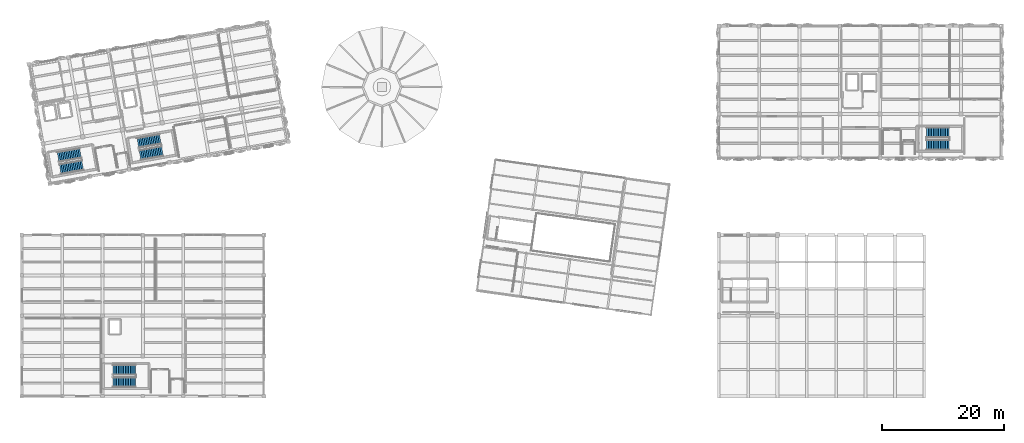
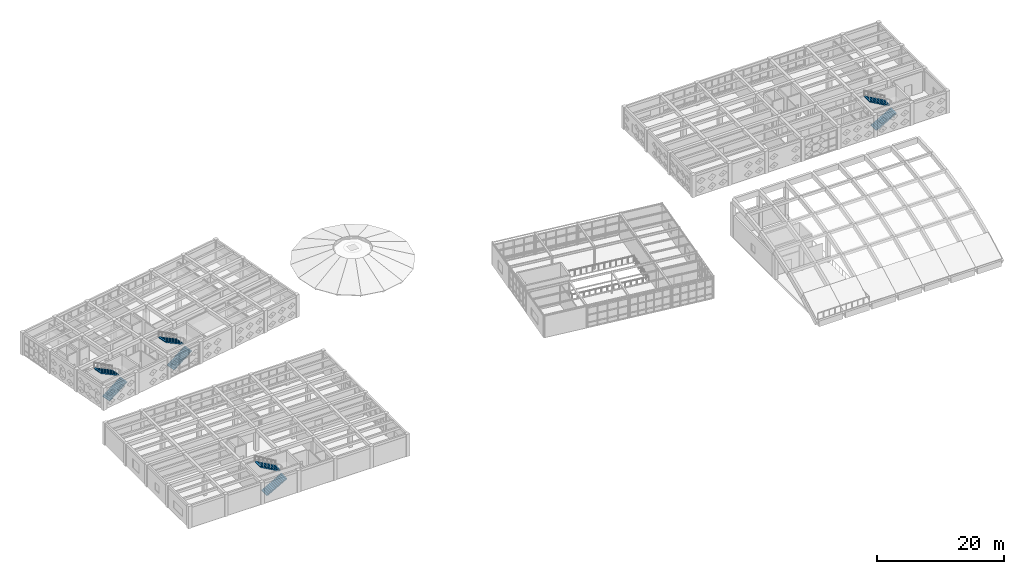
# One storey, part 61 of 67: 8 stair flights, 4 elements without a shape of their own.
"""IFC4 building model written with IfcOpenShell, lengths in metres."""

from ifc_helpers import new_model, si_unit, direction, frame, origin, place, context, subcontext, project, spatial, polyline, outline, extrude, material, type_object, element, aggregate, save


model = new_model("IFC4")

# Units and contexts
model_context = context("Model", 3, precision=1e-05, world=origin(), true_north=direction((0.0, 1.0)))
body_context = subcontext(model_context, "Body", "Model", "MODEL_VIEW")
ifc_project = project(units=[si_unit("LENGTHUNIT", "METRE"), si_unit("AREAUNIT", "SQUARE_METRE"), si_unit("VOLUMEUNIT", "CUBIC_METRE"), si_unit("PLANEANGLEUNIT", "RADIAN"), si_unit("MASSUNIT", "GRAM", prefix="KILO")], contexts=[model_context])

# Site, building, storey
site_placement = place(None, origin())
site = spatial("IfcSite", under=ifc_project, at=site_placement, CompositionType="ELEMENT")
building_placement = place(site_placement, origin())
building = spatial("IfcBuilding", under=site, at=building_placement, Name="Kharisveld Research Institute", CompositionType="ELEMENT")
storey_placement = place(building_placement, frame((0.0, 0.0, 9.60009765625)))
storey = spatial("IfcBuildingStorey", under=building, at=storey_placement, Name="L02", CompositionType="ELEMENT", Elevation=9.60009765625)

# Stair, stair flights
ifc_material_1 = material(Name="Concrete C40/50", Category="concrete")
stair_type = type_object("IfcStairType", Name="ST_EXIT_170", PredefinedType="TWO_STRAIGHT_RUN_STAIR", material=ifc_material_1)
stair_1_placement = place(storey_placement, origin())
stair_1 = element("IfcStair", 1, at=stair_1_placement, inside=storey, type_object=stair_type, Name="STR:ST1:L02", PredefinedType="TWO_STRAIGHT_RUN_STAIR")
ifc_material_2 = material(Name="Concrete C40/50", Category="concrete")
stair_flight_type = type_object("IfcStairFlightType", Name="SF_RUN_170", PredefinedType="STRAIGHT", material=ifc_material_2)
stair_flight_1_placement = place(storey_placement, frame((6.891357421875, 37.339111328125, 0.0), z_axis=(0.0, 0.0, 1.0), x_axis=(0.984807753012, 0.173648177667, 0.0)))
stair_flight_1 = element("IfcStairFlight", 2, at=stair_flight_1_placement, type_object=stair_flight_type, Name="ST-01 flight 1", NumberOfRisers=14, NumberOfTreads=13, PredefinedType="STRAIGHT", RiserHeight=0.160714, TreadLength=0.285, context=body_context, shape_type="SweptSolid", body=[
    extrude(outline(polyline([(0.0, 0.0), (0.0, 0.16064453125), (0.284912109375, 0.16064453125), (0.284912109375, 0.321533203125), (0.570068359375, 0.321533203125), (0.570068359375, 0.482177734375), (0.85498046875, 0.482177734375), (0.85498046875, 0.642822265625), (1.139892578125, 0.642822265625), (1.139892578125, 0.803466796875), (1.425048828125, 0.803466796875), (1.425048828125, 0.96435546875), (1.7099609375, 0.96435546875), (1.7099609375, 1.125), (1.9951171875, 1.125), (1.9951171875, 1.28564453125), (2.280029296875, 1.28564453125), (2.280029296875, 1.446533203125), (2.56494140625, 1.446533203125), (2.56494140625, 1.607177734375), (2.85009765625, 1.607177734375), (2.85009765625, 1.767822265625), (3.135009765625, 1.767822265625), (3.135009765625, 1.928466796875), (3.419921875, 1.928466796875), (3.419921875, 2.08935546875), (3.705078125, 2.08935546875), (3.705078125, 2.25), (3.705078125, 1.917236328125), (0.30517578125, 0.0), (0.0, 0.0)])), frame((0.0, 0.85009765625, 0.0), z_axis=(0.0, -1.0, 0.0), x_axis=(1.0, 0.0, 0.0)), (0.0, 0.0, 1.0), 1.699951171875),
])
stair_flight_2_placement = place(storey_placement, frame((10.182373046875, 40.01123046875, 2.25), z_axis=(0.0, 0.0, 1.0), x_axis=(-0.984807753012, -0.173648177667, 0.0)))
stair_flight_2 = element("IfcStairFlight", 3, at=stair_flight_2_placement, type_object=stair_flight_type, Name="ST-01 flight 2", NumberOfRisers=14, NumberOfTreads=13, PredefinedType="STRAIGHT", RiserHeight=0.160714, TreadLength=0.285, context=body_context, shape_type="SweptSolid", body=[
    extrude(outline(polyline([(0.0, 0.0), (0.0, 0.16064453125), (0.284912109375, 0.16064453125), (0.284912109375, 0.321533203125), (0.570068359375, 0.321533203125), (0.570068359375, 0.482177734375), (0.85498046875, 0.482177734375), (0.85498046875, 0.642822265625), (1.139892578125, 0.642822265625), (1.139892578125, 0.803466796875), (1.425048828125, 0.803466796875), (1.425048828125, 0.96435546875), (1.7099609375, 0.96435546875), (1.7099609375, 1.125), (1.9951171875, 1.125), (1.9951171875, 1.28564453125), (2.280029296875, 1.28564453125), (2.280029296875, 1.446533203125), (2.56494140625, 1.446533203125), (2.56494140625, 1.607177734375), (2.85009765625, 1.607177734375), (2.85009765625, 1.767822265625), (3.135009765625, 1.767822265625), (3.135009765625, 1.928466796875), (3.419921875, 1.928466796875), (3.419921875, 2.08935546875), (3.705078125, 2.08935546875), (3.705078125, 2.25), (3.705078125, 1.917236328125), (0.30517578125, 0.0), (0.0, 0.0)])), frame((0.0, 0.85009765625, 0.0), z_axis=(0.0, -1.0, 0.0), x_axis=(1.0, 0.0, 0.0)), (0.0, 0.0, 1.0), 1.699951171875),
])
aggregate(stair_1, [stair_flight_1, stair_flight_2])

stair_2_placement = place(storey_placement, origin())
stair_2 = element("IfcStair", 4, at=stair_2_placement, inside=storey, type_object=stair_type, Name="STR:ST2:L02", PredefinedType="TWO_STRAIGHT_RUN_STAIR")
stair_flight_3_placement = place(storey_placement, frame((19.93994140625, 39.639892578125, 0.0), z_axis=(0.0, 0.0, 1.0), x_axis=(0.984807753012, 0.173648177667, 0.0)))
stair_flight_3 = element("IfcStairFlight", 5, at=stair_flight_3_placement, type_object=stair_flight_type, Name="ST-02 flight 1", NumberOfRisers=14, NumberOfTreads=13, PredefinedType="STRAIGHT", RiserHeight=0.160714, TreadLength=0.285, context=body_context, shape_type="SweptSolid", body=[
    extrude(outline(polyline([(0.0, 0.0), (0.0, 0.16064453125), (0.284912109375, 0.16064453125), (0.284912109375, 0.321533203125), (0.570068359375, 0.321533203125), (0.570068359375, 0.482177734375), (0.85498046875, 0.482177734375), (0.85498046875, 0.642822265625), (1.139892578125, 0.642822265625), (1.139892578125, 0.803466796875), (1.425048828125, 0.803466796875), (1.425048828125, 0.96435546875), (1.7099609375, 0.96435546875), (1.7099609375, 1.125), (1.9951171875, 1.125), (1.9951171875, 1.28564453125), (2.280029296875, 1.28564453125), (2.280029296875, 1.446533203125), (2.56494140625, 1.446533203125), (2.56494140625, 1.607177734375), (2.85009765625, 1.607177734375), (2.85009765625, 1.767822265625), (3.135009765625, 1.767822265625), (3.135009765625, 1.928466796875), (3.419921875, 1.928466796875), (3.419921875, 2.08935546875), (3.705078125, 2.08935546875), (3.705078125, 2.25), (3.705078125, 1.917236328125), (0.30517578125, 0.0), (0.0, 0.0)])), frame((0.0, 0.85009765625, 0.0), z_axis=(0.0, -1.0, 0.0), x_axis=(1.0, 0.0, 0.0)), (0.0, 0.0, 1.0), 1.699951171875),
])
stair_flight_4_placement = place(storey_placement, frame((23.23095703125, 42.31201171875, 2.25), z_axis=(0.0, 0.0, 1.0), x_axis=(-0.984807753012, -0.173648177667, 0.0)))
stair_flight_4 = element("IfcStairFlight", 6, at=stair_flight_4_placement, type_object=stair_flight_type, Name="ST-02 flight 2", NumberOfRisers=14, NumberOfTreads=13, PredefinedType="STRAIGHT", RiserHeight=0.160714, TreadLength=0.285, context=body_context, shape_type="SweptSolid", body=[
    extrude(outline(polyline([(0.0, 0.0), (0.0, 0.16064453125), (0.284912109375, 0.16064453125), (0.284912109375, 0.321533203125), (0.570068359375, 0.321533203125), (0.570068359375, 0.482177734375), (0.85498046875, 0.482177734375), (0.85498046875, 0.642822265625), (1.139892578125, 0.642822265625), (1.139892578125, 0.803466796875), (1.425048828125, 0.803466796875), (1.425048828125, 0.96435546875), (1.7099609375, 0.96435546875), (1.7099609375, 1.125), (1.9951171875, 1.125), (1.9951171875, 1.28564453125), (2.280029296875, 1.28564453125), (2.280029296875, 1.446533203125), (2.56494140625, 1.446533203125), (2.56494140625, 1.607177734375), (2.85009765625, 1.607177734375), (2.85009765625, 1.767822265625), (3.135009765625, 1.767822265625), (3.135009765625, 1.928466796875), (3.419921875, 1.928466796875), (3.419921875, 2.08935546875), (3.705078125, 2.08935546875), (3.705078125, 2.25), (3.705078125, 1.917236328125), (0.30517578125, 0.0), (0.0, 0.0)])), frame((0.0, 0.85009765625, 0.0), z_axis=(0.0, -1.0, 0.0), x_axis=(1.0, 0.0, 0.0)), (0.0, 0.0, 1.0), 1.699951171875),
])
aggregate(stair_2, [stair_flight_3, stair_flight_4])

stair_3_placement = place(storey_placement, origin())
stair_3 = element("IfcStair", 7, at=stair_3_placement, inside=storey, type_object=stair_type, Name="STR:ST3:L02", PredefinedType="TWO_STRAIGHT_RUN_STAIR")
stair_flight_5_placement = place(storey_placement, frame((148.570068359375, 41.300048828125, 0.0), z_axis=(0.0, 0.0, 1.0), x_axis=(1.0, 0.0, 0.0)))
stair_flight_5 = element("IfcStairFlight", 8, at=stair_flight_5_placement, type_object=stair_flight_type, Name="ST-03 flight 1", NumberOfRisers=14, NumberOfTreads=13, PredefinedType="STRAIGHT", RiserHeight=0.160714, TreadLength=0.285, context=body_context, shape_type="SweptSolid", body=[
    extrude(outline(polyline([(0.0, 0.0), (0.0, 0.16064453125), (0.284912109375, 0.16064453125), (0.284912109375, 0.321533203125), (0.570068359375, 0.321533203125), (0.570068359375, 0.482177734375), (0.85498046875, 0.482177734375), (0.85498046875, 0.642822265625), (1.139892578125, 0.642822265625), (1.139892578125, 0.803466796875), (1.425048828125, 0.803466796875), (1.425048828125, 0.96435546875), (1.7099609375, 0.96435546875), (1.7099609375, 1.125), (1.9951171875, 1.125), (1.9951171875, 1.28564453125), (2.280029296875, 1.28564453125), (2.280029296875, 1.446533203125), (2.56494140625, 1.446533203125), (2.56494140625, 1.607177734375), (2.85009765625, 1.607177734375), (2.85009765625, 1.767822265625), (3.135009765625, 1.767822265625), (3.135009765625, 1.928466796875), (3.419921875, 1.928466796875), (3.419921875, 2.08935546875), (3.705078125, 2.08935546875), (3.705078125, 2.25), (3.705078125, 1.917236328125), (0.30517578125, 0.0), (0.0, 0.0)])), frame((0.0, 0.85009765625, 0.0), z_axis=(0.0, -1.0, 0.0), x_axis=(1.0, 0.0, 0.0)), (0.0, 0.0, 1.0), 1.699951171875),
])
stair_flight_6_placement = place(storey_placement, frame((152.27490234375, 43.360107421875, 2.25), z_axis=(0.0, 0.0, 1.0), x_axis=(-1.0, 0.0, 0.0)))
stair_flight_6 = element("IfcStairFlight", 9, at=stair_flight_6_placement, type_object=stair_flight_type, Name="ST-03 flight 2", NumberOfRisers=14, NumberOfTreads=13, PredefinedType="STRAIGHT", RiserHeight=0.160714, TreadLength=0.285, context=body_context, shape_type="SweptSolid", body=[
    extrude(outline(polyline([(0.0, 0.0), (0.0, 0.16064453125), (0.284912109375, 0.16064453125), (0.284912109375, 0.321533203125), (0.570068359375, 0.321533203125), (0.570068359375, 0.482177734375), (0.85498046875, 0.482177734375), (0.85498046875, 0.642822265625), (1.139892578125, 0.642822265625), (1.139892578125, 0.803466796875), (1.425048828125, 0.803466796875), (1.425048828125, 0.96435546875), (1.7099609375, 0.96435546875), (1.7099609375, 1.125), (1.9951171875, 1.125), (1.9951171875, 1.28564453125), (2.280029296875, 1.28564453125), (2.280029296875, 1.446533203125), (2.56494140625, 1.446533203125), (2.56494140625, 1.607177734375), (2.85009765625, 1.607177734375), (2.85009765625, 1.767822265625), (3.135009765625, 1.767822265625), (3.135009765625, 1.928466796875), (3.419921875, 1.928466796875), (3.419921875, 2.08935546875), (3.705078125, 2.08935546875), (3.705078125, 2.25), (3.705078125, 1.917236328125), (0.30517578125, 0.0), (0.0, 0.0)])), frame((0.0, 0.85009765625, 0.0), z_axis=(0.0, -1.0, 0.0), x_axis=(1.0, 0.0, 0.0)), (0.0, 0.0, 1.0), 1.699951171875),
])
aggregate(stair_3, [stair_flight_5, stair_flight_6])

stair_4_placement = place(storey_placement, origin())
stair_4 = element("IfcStair", 10, at=stair_4_placement, inside=storey, type_object=stair_type, Name="STR:ST4:L02", PredefinedType="TWO_STRAIGHT_RUN_STAIR")
stair_flight_7_placement = place(storey_placement, frame((15.52001953125, 2.5, 0.0), z_axis=(0.0, 0.0, 1.0), x_axis=(1.0, 0.0, 0.0)))
stair_flight_7 = element("IfcStairFlight", 11, at=stair_flight_7_placement, type_object=stair_flight_type, Name="ST-04 flight 1", NumberOfRisers=14, NumberOfTreads=13, PredefinedType="STRAIGHT", RiserHeight=0.160714, TreadLength=0.285, context=body_context, shape_type="SweptSolid", body=[
    extrude(outline(polyline([(0.0, 0.0), (0.0, 0.16064453125), (0.284912109375, 0.16064453125), (0.284912109375, 0.321533203125), (0.570068359375, 0.321533203125), (0.570068359375, 0.482177734375), (0.85498046875, 0.482177734375), (0.85498046875, 0.642822265625), (1.139892578125, 0.642822265625), (1.139892578125, 0.803466796875), (1.425048828125, 0.803466796875), (1.425048828125, 0.96435546875), (1.7099609375, 0.96435546875), (1.7099609375, 1.125), (1.9951171875, 1.125), (1.9951171875, 1.28564453125), (2.280029296875, 1.28564453125), (2.280029296875, 1.446533203125), (2.56494140625, 1.446533203125), (2.56494140625, 1.607177734375), (2.85009765625, 1.607177734375), (2.85009765625, 1.767822265625), (3.135009765625, 1.767822265625), (3.135009765625, 1.928466796875), (3.419921875, 1.928466796875), (3.419921875, 2.08935546875), (3.705078125, 2.08935546875), (3.705078125, 2.25), (3.705078125, 1.917236328125), (0.30517578125, 0.0), (0.0, 0.0)])), frame((0.0, 0.85009765625, 0.0), z_axis=(0.0, -1.0, 0.0), x_axis=(1.0, 0.0, 0.0)), (0.0, 0.0, 1.0), 1.699951171875),
])
stair_flight_8_placement = place(storey_placement, frame((19.22509765625, 4.56005859375, 2.25), z_axis=(0.0, 0.0, 1.0), x_axis=(-1.0, 0.0, 0.0)))
stair_flight_8 = element("IfcStairFlight", 12, at=stair_flight_8_placement, type_object=stair_flight_type, Name="ST-04 flight 2", NumberOfRisers=14, NumberOfTreads=13, PredefinedType="STRAIGHT", RiserHeight=0.160714, TreadLength=0.285, context=body_context, shape_type="SweptSolid", body=[
    extrude(outline(polyline([(0.0, 0.0), (0.0, 0.16064453125), (0.284912109375, 0.16064453125), (0.284912109375, 0.321533203125), (0.570068359375, 0.321533203125), (0.570068359375, 0.482177734375), (0.85498046875, 0.482177734375), (0.85498046875, 0.642822265625), (1.139892578125, 0.642822265625), (1.139892578125, 0.803466796875), (1.425048828125, 0.803466796875), (1.425048828125, 0.96435546875), (1.7099609375, 0.96435546875), (1.7099609375, 1.125), (1.9951171875, 1.125), (1.9951171875, 1.28564453125), (2.280029296875, 1.28564453125), (2.280029296875, 1.446533203125), (2.56494140625, 1.446533203125), (2.56494140625, 1.607177734375), (2.85009765625, 1.607177734375), (2.85009765625, 1.767822265625), (3.135009765625, 1.767822265625), (3.135009765625, 1.928466796875), (3.419921875, 1.928466796875), (3.419921875, 2.08935546875), (3.705078125, 2.08935546875), (3.705078125, 2.25), (3.705078125, 1.917236328125), (0.30517578125, 0.0), (0.0, 0.0)])), frame((0.0, 0.85009765625, 0.0), z_axis=(0.0, -1.0, 0.0), x_axis=(1.0, 0.0, 0.0)), (0.0, 0.0, 1.0), 1.699951171875),
])
aggregate(stair_4, [stair_flight_7, stair_flight_8])

save(model, "model.ifc")
